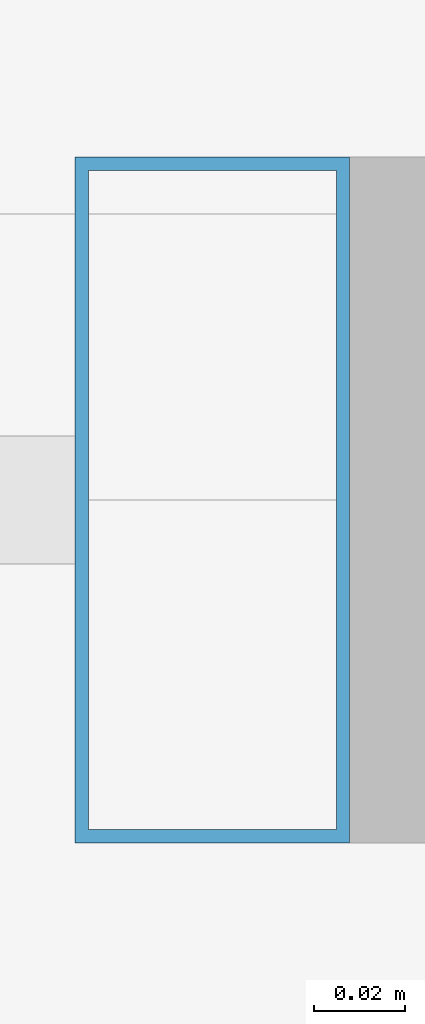
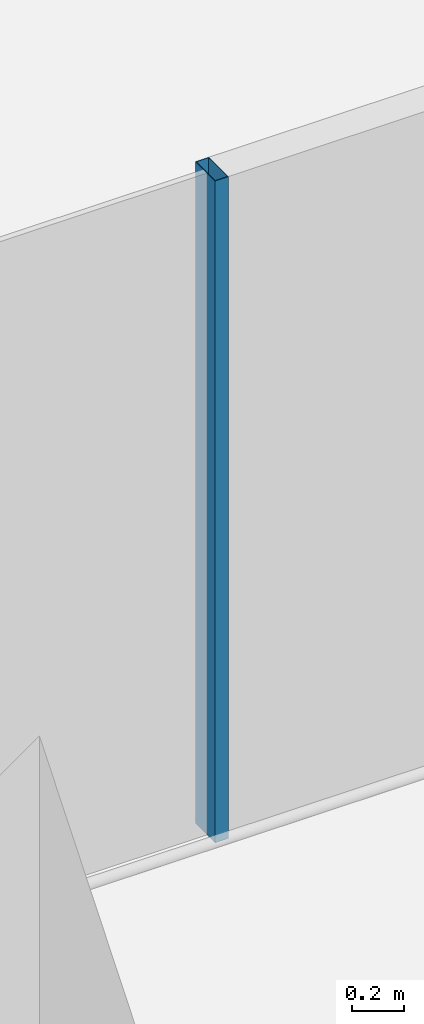
# One storey, part 7 of 56: 1 member, 1 element without a shape of its own.
"""IFC4 building model written with IfcOpenShell, lengths in metres."""

from ifc_helpers import new_model, si_unit, direction, frame, origin, origin_2d, place, context, subcontext, project, spatial, hollow_rectangle, extrude, material, material_profile, profile_set, type_object, element, aggregate, save


model = new_model("IFC4")

# Units and contexts
model_context = context("Model", 3, precision=1e-05, world=origin(), true_north=direction((0.0, 1.0)))
body_context = subcontext(model_context, "Body", "Model", "MODEL_VIEW")
ifc_project = project(units=[si_unit("LENGTHUNIT", "METRE"), si_unit("AREAUNIT", "SQUARE_METRE"), si_unit("VOLUMEUNIT", "CUBIC_METRE"), si_unit("PLANEANGLEUNIT", "RADIAN"), si_unit("MASSUNIT", "GRAM", prefix="KILO")], contexts=[model_context])

# Site, building, storey
site_placement = place(None, origin())
site = spatial("IfcSite", under=ifc_project, at=site_placement, CompositionType="ELEMENT")
building_placement = place(site_placement, origin())
building = spatial("IfcBuilding", under=site, at=building_placement, Name="Altepetl Exchange Towers", CompositionType="ELEMENT")
storey_placement = place(building_placement, frame((0.0, 0.0, 76.199951171875)))
storey = spatial("IfcBuildingStorey", under=building, at=storey_placement, Name="L18", CompositionType="ELEMENT", Elevation=76.199951171875)

# Curtain wall, member
ifc_material_1 = material(Name="Aluminium 6063-T6 glazing", Category="aluminium")
curtain_wall_type = type_object("IfcCurtainWallType", Name="Loggia glazing system", PredefinedType="NOTDEFINED", material=ifc_material_1)
curtain_wall_placement = place(storey_placement, origin())
curtain_wall = element("IfcCurtainWall", 1, at=curtain_wall_placement, inside=storey, type_object=curtain_wall_type, Name="CW1 run", PredefinedType="NOTDEFINED")
ifc_material_2 = material(Name="Aluminium 6063-T6", Category="aluminium")
ifc_material_profile = material_profile(ifc_material_2, hollow_rectangle(XDim=0.06005859375, YDim=0.14990234375, WallThickness=0.0029296875, at=origin_2d()), Name="Mullion 60x150 aluminium")
ifc_profile_set = profile_set([ifc_material_profile], Name="Aluminium 6063-T6")
member_type = type_object("IfcMemberType", Name="Mullion 60x150 aluminium", PredefinedType="MULLION", material=ifc_profile_set)
member_placement = place(storey_placement, frame((47.152099609375, 29.0, 0.0)))
member = element("IfcMember", 2, at=member_placement, type_object=member_type, Name="MU1 mullion", PredefinedType="MULLION", context=body_context, shape_type="SweptSolid", body=[
    extrude(hollow_rectangle(XDim=0.06005859375, YDim=0.14990234375, WallThickness=0.0029296875, at=origin_2d()), origin(), (0.0, 0.0, 1.0), 3.10009765625),
])
aggregate(curtain_wall, [member])

save(model, "model.ifc")
